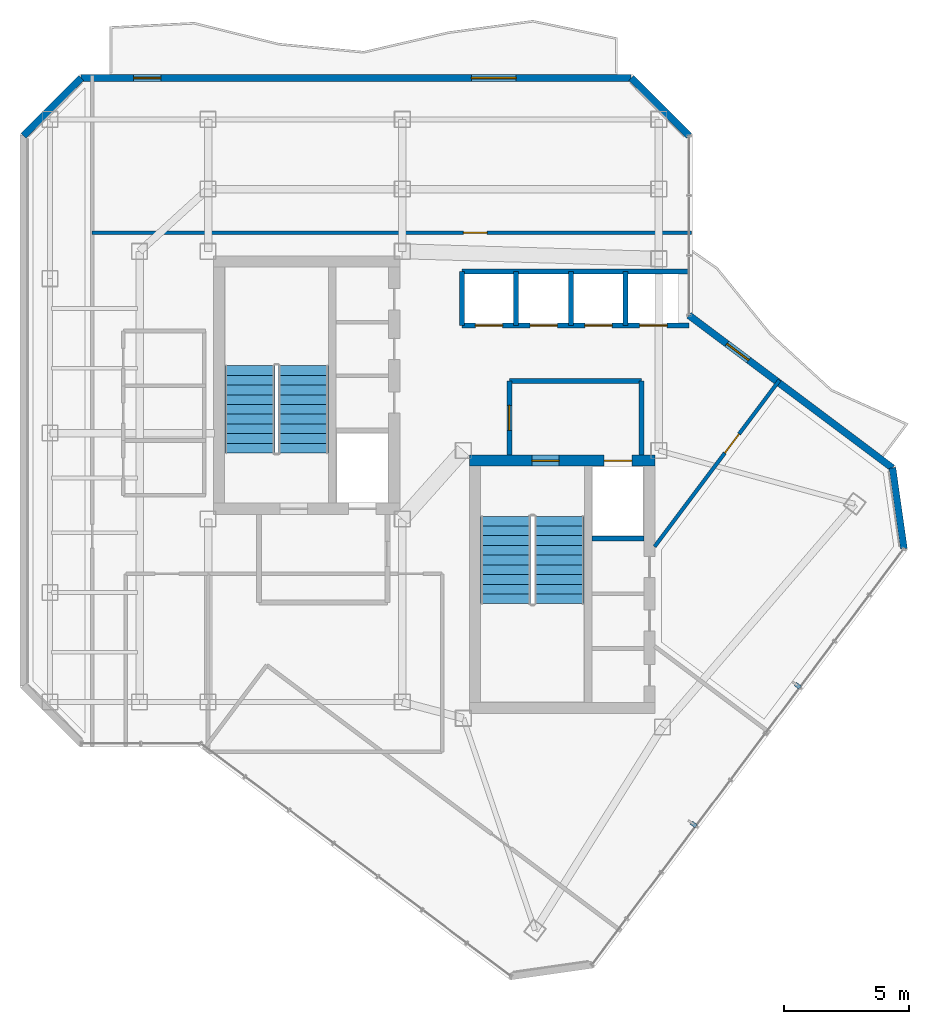
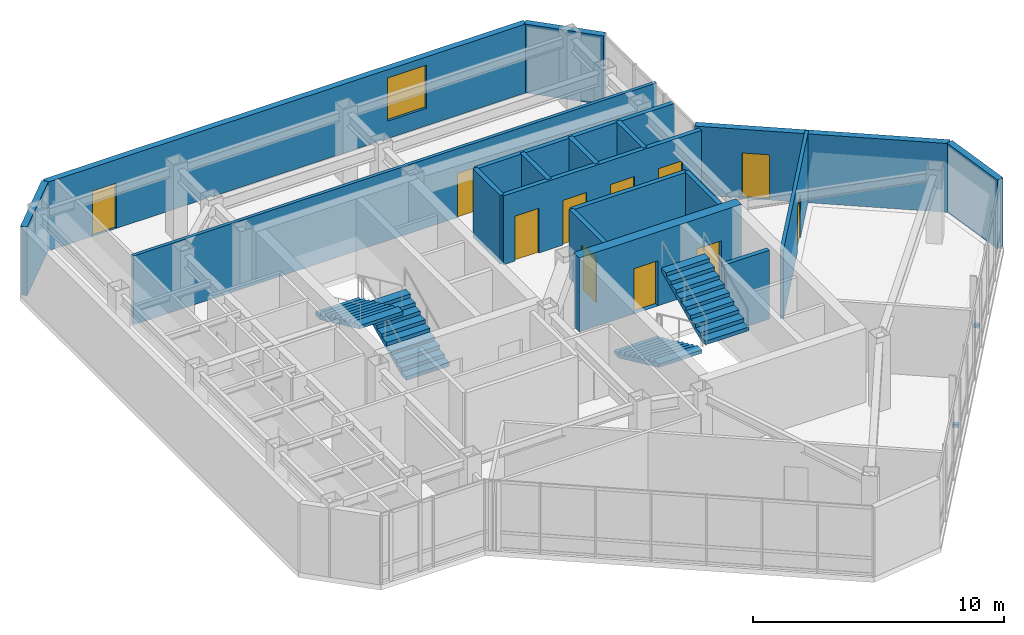
# One storey, part 15 of 18: 18 walls, 11 doors, 4 stair flights, 2 discrete accessories, 1 window, 12 openings, 2 elements without a shape of their own.
"""IFC4 building model written with IfcOpenShell, lengths in metres."""

from ifc_helpers import new_model, si_unit, direction, frame, frame_2d, origin, origin_2d, place, context, subcontext, project, spatial, polyline, rectangle, outline, extrude, material, layer, layer_set, type_object, element, fill, aggregate, save


model = new_model("IFC4")

# Units and contexts
model_context = context("Model", 3, precision=1e-05, world=origin(), true_north=direction((0.0, 1.0)))
body_context = subcontext(model_context, "Body", "Model", "MODEL_VIEW")
ifc_project = project(units=[si_unit("LENGTHUNIT", "METRE"), si_unit("AREAUNIT", "SQUARE_METRE"), si_unit("VOLUMEUNIT", "CUBIC_METRE"), si_unit("PLANEANGLEUNIT", "RADIAN"), si_unit("MASSUNIT", "GRAM", prefix="KILO")], contexts=[model_context])

# Site, building, storey
site_placement = place(None, origin())
site = spatial("IfcSite", under=ifc_project, at=site_placement, CompositionType="ELEMENT")
building_placement = place(site_placement, origin())
building = spatial("IfcBuilding", under=site, at=building_placement, Name="Hatsunagi Terrace Concourse", CompositionType="ELEMENT")
storey_placement = place(building_placement, frame((0.0, 0.0, 250.35009765625)))
storey = spatial("IfcBuildingStorey", under=building, at=storey_placement, Name="L66", CompositionType="ELEMENT", Elevation=250.35009765625)

# Wall, openings, doors
ifc_material_1 = material(Name="Concrete Fc42", Category="concrete")
ifc_layer_1 = layer(ifc_material_1, 0.449951171875)
ifc_layer_set_1 = layer_set([ifc_layer_1], Name="CoreShearWall_Fc42_450")
wall_type_1 = type_object("IfcWallType", Name="CoreShearWall_Fc42_450", PredefinedType="SHEAR", material=ifc_layer_set_1)
wall_1_placement = place(storey_placement, frame((36.0400390625, 34.89501953125, 0.0), z_axis=(0.0, 0.0, 1.0), x_axis=(1.0, 0.0, 0.0)))
wall_1 = element("IfcWall", 1, at=wall_1_placement, inside=storey, type_object=wall_type_1, Name="Core B Shear Wall N L66", PredefinedType="SHEAR", context=body_context, shape_type="SweptSolid", body=[
    extrude(rectangle(XDim=7.4599609375, YDim=0.449951171875, at=frame_2d((3.72998046875, 0.0))), origin(), (0.0, 0.0, 1.0), 3.599853515625),
])
opening_1_placement = place(wall_1_placement, frame((2.510009765625, 0.0, 0.0)))
opening_1 = element("IfcOpeningElement", 2, at=opening_1_placement, cuts=wall_1, Name="Opening DR-110S", PredefinedType="OPENING", context=body_context, shape_type="SweptSolid", body=[
    extrude(rectangle(XDim=1.10009765625, YDim=2.199951171875, at=frame_2d((0.550048828125, 1.10009765625))), frame((0.0, 0.23486328125, 0.0), z_axis=(0.0, -1.0, 0.0), x_axis=(1.0, 0.0, 0.0)), (0.0, 0.0, 1.0), 0.469970703125),
])
opening_2_placement = place(wall_1_placement, frame((5.409912109375, 0.0, 0.0)))
opening_2 = element("IfcOpeningElement", 3, at=opening_2_placement, cuts=wall_1, Name="Opening LD-02", PredefinedType="OPENING", context=body_context, shape_type="SweptSolid", body=[
    extrude(rectangle(XDim=1.1201171875, YDim=2.14990234375, at=frame_2d((0.56005859375, 1.074951171875))), frame((0.0, 0.23486328125, 0.0), z_axis=(0.0, -1.0, 0.0), x_axis=(1.0, 0.0, 0.0)), (0.0, 0.0, 1.0), 0.469970703125),
])
ifc_material_2 = material(Name="Stainless steel", Category="steel")
door_type_1 = type_object("IfcDoorType", Name="LiftLandingDoor_LD02", OperationType="SLIDING_TO_RIGHT", PredefinedType="USERDEFINED", material=ifc_material_2)
door_1_placement = place(opening_2_placement, origin())
door_1 = element("IfcDoor", 4, at=door_1_placement, inside=storey, type_object=door_type_1, Name="Lift landing door FF-02 L66", ObjectType="SLIDING_LANDING_DOOR", OperationType="SLIDING_TO_RIGHT", OverallHeight=2.14990234375, OverallWidth=1.1201171875, PredefinedType="USERDEFINED", context=body_context, shape_type="SweptSolid", body=[
    extrude(rectangle(XDim=1.1201171875, YDim=2.14990234375, at=frame_2d((0.56005859375, 1.074951171875))), frame((0.0, 0.02490234375, 0.0), z_axis=(0.0, -1.0, 0.0), x_axis=(1.0, 0.0, 0.0)), (0.0, 0.0, 1.0), 0.050048828125),
])
fill(opening_2, door_1)
ifc_material_3 = material(Name="Painted steel", Category="steel")
door_type_2 = type_object("IfcDoorType", Name="StairFireDoor_EI60_1100", OperationType="NOTDEFINED", PredefinedType="DOOR", material=ifc_material_3)
door_2_placement = place(opening_1_placement, origin())
door_2 = element("IfcDoor", 5, at=door_2_placement, inside=storey, type_object=door_type_2, Name="Stair ST-B Exit Door L66", OperationType="SINGLE_SWING_RIGHT", OverallHeight=2.199951171875, OverallWidth=1.10009765625, PredefinedType="DOOR", context=body_context, shape_type="SweptSolid", body=[
    extrude(rectangle(XDim=1.10009765625, YDim=2.199951171875, at=frame_2d((0.550048828125, 1.10009765625))), frame((0.0, 0.02490234375, 0.0), z_axis=(0.0, -1.0, 0.0), x_axis=(1.0, 0.0, 0.0)), (0.0, 0.0, 1.0), 0.050048828125),
])
fill(opening_1, door_2)

# Wall, opening, door
ifc_material_4 = material(Name="Acoustic mineral board", Category="gypsum")
ifc_layer_2 = layer(ifc_material_4, 0.14990234375)
ifc_layer_set_2 = layer_set([ifc_layer_2], Name="PartitionWall_EI60_150")
wall_type_2 = type_object("IfcWallType", Name="PartitionWall_EI60_150", PredefinedType="PARTITIONING", material=ifc_layer_set_2)
wall_2_placement = place(storey_placement, frame((20.89990234375, 44.050048828125, 0.0), z_axis=(0.0, 0.0, 1.0), x_axis=(1.0, 0.0, 0.0)))
wall_2 = element("IfcWall", 6, at=wall_2_placement, inside=storey, type_object=wall_type_2, Name="Interior Partition IW-L66-032", PredefinedType="PARTITIONING", context=body_context, shape_type="SweptSolid", body=[
    extrude(rectangle(XDim=24.06005859375, YDim=0.14990234375, at=frame_2d((12.030029296875, 0.0))), origin(), (0.0, 0.0, 1.0), 3.349853515625),
])
opening_3_placement = place(wall_2_placement, frame((14.907958984375, 0.0, 0.0)))
opening_3 = element("IfcOpeningElement", 7, at=opening_3_placement, cuts=wall_2, Name="Opening DR-095", PredefinedType="OPENING", context=body_context, shape_type="SweptSolid", body=[
    extrude(rectangle(XDim=0.949951171875, YDim=2.14990234375, at=frame_2d((0.47509765625, 1.074951171875))), frame((0.0, 0.0849609375, 0.0), z_axis=(0.0, -1.0, 0.0), x_axis=(1.0, 0.0, 0.0)), (0.0, 0.0, 1.0), 0.169921875),
])
ifc_material_5 = material(Name="Hardwood timber", Category="wood")
door_type_3 = type_object("IfcDoorType", Name="InteriorSuiteDoor_EI30_950", OperationType="NOTDEFINED", PredefinedType="DOOR", material=ifc_material_5)
door_3_placement = place(opening_3_placement, origin())
door_3 = element("IfcDoor", 8, at=door_3_placement, inside=storey, type_object=door_type_3, Name="Boardroom L66-ON1 Door", OperationType="SINGLE_SWING_LEFT", OverallHeight=2.14990234375, OverallWidth=0.949951171875, PredefinedType="DOOR", context=body_context, shape_type="SweptSolid", body=[
    extrude(rectangle(XDim=0.949951171875, YDim=2.14990234375, at=frame_2d((0.47509765625, 1.074951171875))), frame((0.0, 0.02490234375, 0.0), z_axis=(0.0, -1.0, 0.0), x_axis=(1.0, 0.0, 0.0)), (0.0, 0.0, 1.0), 0.050048828125),
])
fill(opening_3, door_3)

wall_3_placement = place(storey_placement, frame((43.47998046875, 31.43994140625, 0.0), z_axis=(0.0, 0.0, 1.0), x_axis=(0.600009344989, 0.799992991173, 0.0)))
wall_3 = element("IfcWall", 9, at=wall_3_placement, inside=storey, type_object=wall_type_2, Name="Interior Partition IW-L66-034", PredefinedType="PARTITIONING", context=body_context, shape_type="SweptSolid", body=[
    extrude(rectangle(XDim=8.360107421875, YDim=0.14990234375, at=frame_2d((4.18017578125, 0.0))), origin(), (0.0, 0.0, 1.0), 3.349853515625),
])
opening_4_placement = place(wall_3_placement, frame((4.702880859375, 0.0, 0.0)))
opening_4 = element("IfcOpeningElement", 10, at=opening_4_placement, cuts=wall_3, Name="Opening DR-095", PredefinedType="OPENING", context=body_context, shape_type="SweptSolid", body=[
    extrude(rectangle(XDim=0.949951171875, YDim=2.14990234375, at=frame_2d((0.47509765625, 1.074951171875))), frame((0.0, 0.0849609375, 0.0), z_axis=(0.0, -1.0, 0.0), x_axis=(1.0, 0.0, 0.0)), (0.0, 0.0, 1.0), 0.169921875),
])
door_4_placement = place(opening_4_placement, origin())
door_4 = element("IfcDoor", 11, at=door_4_placement, inside=storey, type_object=door_type_3, Name="Design Studio L66-OSE1 Door", OperationType="SINGLE_SWING_RIGHT", OverallHeight=2.14990234375, OverallWidth=0.949951171875, PredefinedType="DOOR", context=body_context, shape_type="SweptSolid", body=[
    extrude(rectangle(XDim=0.949951171875, YDim=2.14990234375, at=frame_2d((0.47509765625, 1.074951171875))), frame((0.0, 0.02490234375, 0.0), z_axis=(0.0, -1.0, 0.0), x_axis=(1.0, 0.0, 0.0)), (0.0, 0.0, 1.0), 0.050048828125),
])
fill(opening_4, door_4)

# Walls
ifc_material_6 = material(Name="Acoustic mineral board", Category="gypsum")
ifc_layer_3 = layer(ifc_material_6, 0.199951171875)
ifc_layer_set_3 = layer_set([ifc_layer_3], Name="ShaftWall_EI120_200")
wall_type_3 = type_object("IfcWallType", Name="ShaftWall_EI120_200", PredefinedType="STANDARD", material=ifc_layer_set_3)
wall_4_placement = place(storey_placement, frame((40.969970703125, 31.760009765625, 0.0), z_axis=(0.0, 0.0, 1.0), x_axis=(1.0, 0.0, 0.0)))
element("IfcWall", 12, at=wall_4_placement, inside=storey, type_object=wall_type_3, Name="Interior Partition IW-L66-004", PredefinedType="STANDARD", context=body_context, shape_type="SweptSolid", body=[
    extrude(rectangle(XDim=2.080078125, YDim=0.199951171875, at=frame_2d((1.0400390625, 0.0))), origin(), (0.0, 0.0, 1.0), 3.349853515625),
])
wall_5_placement = place(storey_placement, frame((37.64990234375, 38.10009765625, 0.0), z_axis=(0.0, 0.0, 1.0), x_axis=(1.0, 0.0, 0.0)))
element("IfcWall", 13, at=wall_5_placement, inside=storey, type_object=wall_type_3, Name="Interior Partition IW-L66-010", PredefinedType="STANDARD", context=body_context, shape_type="SweptSolid", body=[
    extrude(rectangle(XDim=5.300048828125, YDim=0.199951171875, at=frame_2d((2.64990234375, 0.0))), origin(), (0.0, 0.0, 1.0), 3.349853515625),
])
wall_6_placement = place(storey_placement, frame((42.949951171875, 35.1201171875, 0.0), z_axis=(0.0, 0.0, 1.0), x_axis=(0.0, 1.0, 0.0)))
element("IfcWall", 14, at=wall_6_placement, inside=storey, type_object=wall_type_3, Name="Interior Partition IW-L66-011", PredefinedType="STANDARD", context=body_context, shape_type="SweptSolid", body=[
    extrude(rectangle(XDim=2.97998046875, YDim=0.199951171875, at=frame_2d((1.489990234375, 0.0))), origin(), (0.0, 0.0, 1.0), 3.349853515625),
])

# Wall, opening, door
wall_7_placement = place(storey_placement, frame((37.64990234375, 35.1201171875, 0.0), z_axis=(0.0, 0.0, 1.0), x_axis=(0.0, 1.0, 0.0)))
wall_7 = element("IfcWall", 15, at=wall_7_placement, inside=storey, type_object=wall_type_3, Name="Interior Partition IW-L66-012", PredefinedType="STANDARD", context=body_context, shape_type="SweptSolid", body=[
    extrude(rectangle(XDim=2.97998046875, YDim=0.199951171875, at=frame_2d((1.489990234375, 0.0))), origin(), (0.0, 0.0, 1.0), 3.349853515625),
])
opening_5_placement = place(wall_7_placement, frame((0.989990234375, 0.0, 0.0)))
opening_5 = element("IfcOpeningElement", 16, at=opening_5_placement, cuts=wall_7, Name="Opening DR-100F", PredefinedType="OPENING", context=body_context, shape_type="SweptSolid", body=[
    extrude(rectangle(XDim=1.0, YDim=2.199951171875, at=frame_2d((0.5, 1.10009765625))), frame((0.0, 0.10986328125, 0.0), z_axis=(0.0, -1.0, 0.0), x_axis=(1.0, 0.0, 0.0)), (0.0, 0.0, 1.0), 0.219970703125),
])
ifc_material_7 = material(Name="Painted steel", Category="steel")
door_type_4 = type_object("IfcDoorType", Name="FireDoor_EI60_1000", OperationType="NOTDEFINED", PredefinedType="DOOR", material=ifc_material_7)
door_5_placement = place(opening_5_placement, origin())
door_5 = element("IfcDoor", 17, at=door_5_placement, inside=storey, type_object=door_type_4, Name="Firefighting Lobby B Door L66", OperationType="SINGLE_SWING_RIGHT", OverallHeight=2.199951171875, OverallWidth=1.0, PredefinedType="DOOR", context=body_context, shape_type="SweptSolid", body=[
    extrude(rectangle(XDim=1.0, YDim=2.199951171875, at=frame_2d((0.5, 1.10009765625))), frame((0.0, 0.02490234375, 0.0), z_axis=(0.0, -1.0, 0.0), x_axis=(1.0, 0.0, 0.0)), (0.0, 0.0, 1.0), 0.050048828125),
])
fill(opening_5, door_5)

# Walls
wall_8_placement = place(storey_placement, frame((35.75, 42.47998046875, 0.0), z_axis=(0.0, 0.0, 1.0), x_axis=(1.0, 0.0, 0.0)))
element("IfcWall", 18, at=wall_8_placement, inside=storey, type_object=wall_type_3, Name="Interior Partition IW-L66-013", PredefinedType="STANDARD", context=body_context, shape_type="SweptSolid", body=[
    extrude(rectangle(XDim=9.110107421875, YDim=0.199951171875, at=frame_2d((4.55517578125, 0.0))), origin(), (0.0, 0.0, 1.0), 3.349853515625),
])
for number, where, z_axis, x_axis, name in (
    (19, (35.75, 40.320068359375, 0.0), (0.0, 0.0, 1.0), (0.0, 1.0, 0.0), "Interior Partition IW-L66-014"),
    (20, (37.919921875, 40.320068359375, 0.0), (0.0, 0.0, 1.0), (0.0, 1.0, 0.0), "Interior Partition IW-L66-015"),
    (21, (40.1201171875, 40.320068359375, 0.0), (0.0, 0.0, 1.0), (0.0, 1.0, 0.0), "Interior Partition IW-L66-016"),
    (22, (42.320068359375, 40.320068359375, 0.0), (0.0, 0.0, 1.0), (0.0, 1.0, 0.0), "Interior Partition IW-L66-017"),
):
    element("IfcWall", number, at=place(storey_placement, frame(where, z_axis=z_axis, x_axis=x_axis)), inside=storey, type_object=wall_type_3, Name=name, PredefinedType="STANDARD", context=body_context, shape_type="SweptSolid", body=[
        extrude(rectangle(XDim=2.159912109375, YDim=0.199951171875, at=frame_2d((1.080078125, 0.0))), origin(), (0.0, 0.0, 1.0), 3.349853515625),
    ])

# Wall, openings, doors
wall_9_placement = place(storey_placement, frame((35.75, 40.320068359375, 0.0), z_axis=(0.0, 0.0, 1.0), x_axis=(1.0, 0.0, 0.0)))
wall_9 = element("IfcWall", 23, at=wall_9_placement, inside=storey, type_object=wall_type_3, Name="Interior Partition IW-L66-018", PredefinedType="STANDARD", context=body_context, shape_type="SweptSolid", body=[
    extrude(rectangle(XDim=9.110107421875, YDim=0.199951171875, at=frame_2d((4.55517578125, 0.0))), origin(), (0.0, 0.0, 1.0), 3.349853515625),
])
opening_6_placement = place(wall_9_placement, frame((0.530029296875, 0.0, 0.0)))
opening_6 = element("IfcOpeningElement", 24, at=opening_6_placement, cuts=wall_9, Name="Opening LD-04", PredefinedType="OPENING", context=body_context, shape_type="SweptSolid", body=[
    extrude(rectangle(XDim=1.10009765625, YDim=2.179931640625, at=frame_2d((0.550048828125, 1.08984375))), frame((0.0, 0.10986328125, 0.0), z_axis=(0.0, -1.0, 0.0), x_axis=(1.0, 0.0, 0.0)), (0.0, 0.0, 1.0), 0.219970703125),
])
opening_7_placement = place(wall_9_placement, frame((2.72998046875, 0.0, 0.0)))
opening_7 = element("IfcOpeningElement", 25, at=opening_7_placement, cuts=wall_9, Name="Opening LD-04", PredefinedType="OPENING", context=body_context, shape_type="SweptSolid", body=[
    extrude(rectangle(XDim=1.10009765625, YDim=2.179931640625, at=frame_2d((0.550048828125, 1.08984375))), frame((0.0, 0.10986328125, 0.0), z_axis=(0.0, -1.0, 0.0), x_axis=(1.0, 0.0, 0.0)), (0.0, 0.0, 1.0), 0.219970703125),
])
opening_8_placement = place(wall_9_placement, frame((4.929931640625, 0.0, 0.0)))
opening_8 = element("IfcOpeningElement", 26, at=opening_8_placement, cuts=wall_9, Name="Opening LD-04", PredefinedType="OPENING", context=body_context, shape_type="SweptSolid", body=[
    extrude(rectangle(XDim=1.10009765625, YDim=2.179931640625, at=frame_2d((0.550048828125, 1.08984375))), frame((0.0, 0.10986328125, 0.0), z_axis=(0.0, -1.0, 0.0), x_axis=(1.0, 0.0, 0.0)), (0.0, 0.0, 1.0), 0.219970703125),
])
opening_9_placement = place(wall_9_placement, frame((7.1298828125, 0.0, 0.0)))
opening_9 = element("IfcOpeningElement", 27, at=opening_9_placement, cuts=wall_9, Name="Opening LD-04", PredefinedType="OPENING", context=body_context, shape_type="SweptSolid", body=[
    extrude(rectangle(XDim=1.10009765625, YDim=2.179931640625, at=frame_2d((0.550048828125, 1.08984375))), frame((0.0, 0.10986328125, 0.0), z_axis=(0.0, -1.0, 0.0), x_axis=(1.0, 0.0, 0.0)), (0.0, 0.0, 1.0), 0.219970703125),
])
ifc_material_8 = material(Name="Stainless steel", Category="steel")
door_type_5 = type_object("IfcDoorType", Name="LiftLandingDoor_LD04", OperationType="SLIDING_TO_RIGHT", PredefinedType="USERDEFINED", material=ifc_material_8)
door_6_placement = place(opening_6_placement, origin())
door_6 = element("IfcDoor", 28, at=door_6_placement, inside=storey, type_object=door_type_5, Name="Lift landing door PL-05 L66", ObjectType="SLIDING_LANDING_DOOR", OperationType="SLIDING_TO_RIGHT", OverallHeight=2.179931640625, OverallWidth=1.10009765625, PredefinedType="USERDEFINED", context=body_context, shape_type="SweptSolid", body=[
    extrude(rectangle(XDim=1.10009765625, YDim=2.179931640625, at=frame_2d((0.550048828125, 1.08984375))), frame((0.0, 0.02490234375, 0.0), z_axis=(0.0, -1.0, 0.0), x_axis=(1.0, 0.0, 0.0)), (0.0, 0.0, 1.0), 0.050048828125),
])
fill(opening_6, door_6)
door_7_placement = place(opening_7_placement, origin())
door_7 = element("IfcDoor", 29, at=door_7_placement, inside=storey, type_object=door_type_5, Name="Lift landing door PL-06 L66", ObjectType="SLIDING_LANDING_DOOR", OperationType="SLIDING_TO_RIGHT", OverallHeight=2.179931640625, OverallWidth=1.10009765625, PredefinedType="USERDEFINED", context=body_context, shape_type="SweptSolid", body=[
    extrude(rectangle(XDim=1.10009765625, YDim=2.179931640625, at=frame_2d((0.550048828125, 1.08984375))), frame((0.0, 0.02490234375, 0.0), z_axis=(0.0, -1.0, 0.0), x_axis=(1.0, 0.0, 0.0)), (0.0, 0.0, 1.0), 0.050048828125),
])
fill(opening_7, door_7)
door_8_placement = place(opening_8_placement, origin())
door_8 = element("IfcDoor", 30, at=door_8_placement, inside=storey, type_object=door_type_5, Name="Lift landing door PL-07 L66", ObjectType="SLIDING_LANDING_DOOR", OperationType="SLIDING_TO_RIGHT", OverallHeight=2.179931640625, OverallWidth=1.10009765625, PredefinedType="USERDEFINED", context=body_context, shape_type="SweptSolid", body=[
    extrude(rectangle(XDim=1.10009765625, YDim=2.179931640625, at=frame_2d((0.550048828125, 1.08984375))), frame((0.0, 0.02490234375, 0.0), z_axis=(0.0, -1.0, 0.0), x_axis=(1.0, 0.0, 0.0)), (0.0, 0.0, 1.0), 0.050048828125),
])
fill(opening_8, door_8)
door_9_placement = place(opening_9_placement, origin())
door_9 = element("IfcDoor", 31, at=door_9_placement, inside=storey, type_object=door_type_5, Name="Lift landing door PL-08 L66", ObjectType="SLIDING_LANDING_DOOR", OperationType="SLIDING_TO_RIGHT", OverallHeight=2.179931640625, OverallWidth=1.10009765625, PredefinedType="USERDEFINED", context=body_context, shape_type="SweptSolid", body=[
    extrude(rectangle(XDim=1.10009765625, YDim=2.179931640625, at=frame_2d((0.550048828125, 1.08984375))), frame((0.0, 0.02490234375, 0.0), z_axis=(0.0, -1.0, 0.0), x_axis=(1.0, 0.0, 0.0)), (0.0, 0.0, 1.0), 0.050048828125),
])
fill(opening_9, door_9)

# Wall, opening, door
ifc_material_9 = material(Name="Autoclaved Lightweight Concrete and Terracotta Cladding", Category="masonry")
ifc_layer_4 = layer(ifc_material_9, 0.280029296875)
ifc_layer_set_4 = layer_set([ifc_layer_4], Name="TerracottaSpandrelWall_280")
wall_type_4 = type_object("IfcWallType", Name="TerracottaSpandrelWall_280", PredefinedType="STANDARD", material=ifc_layer_set_4)
wall_10_placement = place(storey_placement, frame((44.860107421875, 40.72998046875, 0.0), z_axis=(0.0, 0.0, 1.0), x_axis=(0.800022950109, -0.599969398635, 0.0)))
wall_10 = element("IfcWall", 32, at=wall_10_placement, inside=storey, type_object=wall_type_4, Name="Exterior Spandrel Wall EW-L66-01", PredefinedType="STANDARD", context=body_context, shape_type="SweptSolid", body=[
    extrude(rectangle(XDim=10.212158203125, YDim=0.280029296875, at=frame_2d((5.10595703125, 0.0))), origin(), (0.0, 0.0, 1.0), 3.349853515625),
])
opening_10_placement = place(wall_10_placement, frame((1.90087890625, 0.0, 0.0)))
opening_10 = element("IfcOpeningElement", 33, at=opening_10_placement, cuts=wall_10, Name="Opening BD-01", PredefinedType="OPENING", context=body_context, shape_type="SweptSolid", body=[
    extrude(rectangle(XDim=1.10009765625, YDim=2.199951171875, at=frame_2d((0.550048828125, 1.10009765625))), frame((0.0, 0.14990234375, 0.0), z_axis=(0.0, -1.0, 0.0), x_axis=(1.0, 0.0, 0.0)), (0.0, 0.0, 1.0), 0.300048828125),
])
ifc_material_10 = material(Name="Galvanised Steel and Laminated Safety Glass", Category="steel")
door_type_6 = type_object("IfcDoorType", Name="BalconyTerraceAccessDoor_1100x2200", OperationType="SINGLE_SWING_LEFT", PredefinedType="DOOR", material=ifc_material_10)
door_10_placement = place(opening_10_placement, origin())
door_10 = element("IfcDoor", 34, at=door_10_placement, inside=storey, type_object=door_type_6, Name="Engawa Balcony Door L66-BSE", OperationType="SINGLE_SWING_LEFT", OverallHeight=2.199951171875, OverallWidth=1.10009765625, PredefinedType="DOOR", context=body_context, shape_type="SweptSolid", body=[
    extrude(rectangle(XDim=1.10009765625, YDim=2.199951171875, at=frame_2d((0.550048828125, 1.10009765625))), frame((0.0, 0.02490234375, 0.0), z_axis=(0.0, -1.0, 0.0), x_axis=(1.0, 0.0, 0.0)), (0.0, 0.0, 1.0), 0.050048828125),
])
fill(opening_10, door_10)

# Walls
wall_11_placement = place(storey_placement, frame((53.030029296875, 34.60302734375, 0.0), z_axis=(0.0, 0.0, 1.0), x_axis=(0.141212810973, -0.989979263428, 0.0)))
element("IfcWall", 35, at=wall_11_placement, inside=storey, type_object=wall_type_4, Name="Exterior Spandrel Wall EW-L66-02", PredefinedType="STANDARD", context=body_context, shape_type="SweptSolid", body=[
    extrude(rectangle(XDim=3.278076171875, YDim=0.280029296875, at=frame_2d((1.63916015625, 0.0))), origin(), (0.0, 0.0, 1.0), 3.349853515625),
])
wall_12_placement = place(storey_placement, frame((18.139892578125, 47.94189453125, 0.0), z_axis=(0.0, 0.0, 1.0), x_axis=(0.707106781187, 0.707106781187, 0.0)))
element("IfcWall", 36, at=wall_12_placement, inside=storey, type_object=wall_type_4, Name="Exterior Spandrel Wall EW-L66-09", PredefinedType="STANDARD", context=body_context, shape_type="SweptSolid", body=[
    extrude(rectangle(XDim=3.2783203125, YDim=0.280029296875, at=frame_2d((1.63916015625, 0.0))), origin(), (0.0, 0.0, 1.0), 3.349853515625),
])

# Wall, openings, door, window
wall_13_placement = place(storey_placement, frame((20.4580078125, 50.260009765625, 0.0), z_axis=(0.0, 0.0, 1.0), x_axis=(1.0, 0.0, 0.0)))
wall_13 = element("IfcWall", 37, at=wall_13_placement, inside=storey, type_object=wall_type_4, Name="Exterior Spandrel Wall EW-L66-10", PredefinedType="STANDARD", context=body_context, shape_type="SweptSolid", body=[
    extrude(rectangle(XDim=22.083984375, YDim=0.280029296875, at=frame_2d((11.0419921875, 0.0))), origin(), (0.0, 0.0, 1.0), 3.349853515625),
])
opening_11_placement = place(wall_13_placement, frame((2.10009765625, 0.0, 0.0)))
opening_11 = element("IfcOpeningElement", 38, at=opening_11_placement, cuts=wall_13, Name="Opening BD-01", PredefinedType="OPENING", context=body_context, shape_type="SweptSolid", body=[
    extrude(rectangle(XDim=1.10009765625, YDim=2.199951171875, at=frame_2d((0.550048828125, 1.10009765625))), frame((0.0, 0.14990234375, 0.0), z_axis=(0.0, -1.0, 0.0), x_axis=(1.0, 0.0, 0.0)), (0.0, 0.0, 1.0), 0.300048828125),
])
opening_12_placement = place(wall_13_placement, frame((15.6630859375, 0.0, 0.85009765625)))
opening_12 = element("IfcOpeningElement", 39, at=opening_12_placement, cuts=wall_13, Name="Opening WIN-03", PredefinedType="OPENING", context=body_context, shape_type="SweptSolid", body=[
    extrude(rectangle(XDim=1.800048828125, YDim=2.10009765625, at=frame_2d((0.89990234375, 1.050048828125))), frame((0.0, 0.14990234375, 0.0), z_axis=(0.0, -1.0, 0.0), x_axis=(1.0, 0.0, 0.0)), (0.0, 0.0, 1.0), 0.300048828125),
])
door_11_placement = place(opening_11_placement, origin())
door_11 = element("IfcDoor", 40, at=door_11_placement, inside=storey, type_object=door_type_6, Name="Engawa Balcony Door L66-BN", OperationType="SINGLE_SWING_RIGHT", OverallHeight=2.199951171875, OverallWidth=1.10009765625, PredefinedType="DOOR", context=body_context, shape_type="SweptSolid", body=[
    extrude(rectangle(XDim=1.10009765625, YDim=2.199951171875, at=frame_2d((0.550048828125, 1.10009765625))), frame((0.0, 0.02490234375, 0.0), z_axis=(0.0, -1.0, 0.0), x_axis=(1.0, 0.0, 0.0)), (0.0, 0.0, 1.0), 0.050048828125),
])
fill(opening_11, door_11)
ifc_material_11 = material(Name="Thermally Broken Aluminium and Low-E Triple Glazing", Category="aluminium")
window_type = type_object("IfcWindowType", Name="OfficeCornerFeatureWindow_1800x2100", PartitioningType="SINGLE_PANEL", PredefinedType="WINDOW", material=ifc_material_11)
window_placement = place(opening_12_placement, origin())
window = element("IfcWindow", 41, at=window_placement, inside=storey, type_object=window_type, Name="Balcony Daylighting Window L66-10-2", OverallHeight=2.10009765625, OverallWidth=1.800048828125, PartitioningType="SINGLE_PANEL", PredefinedType="WINDOW", context=body_context, shape_type="SweptSolid", body=[
    extrude(rectangle(XDim=1.800048828125, YDim=2.10009765625, at=frame_2d((0.89990234375, 1.050048828125))), frame((0.0, 0.030029296875, 0.0), z_axis=(0.0, -1.0, 0.0), x_axis=(1.0, 0.0, 0.0)), (0.0, 0.0, 1.0), 0.06005859375),
])
fill(opening_12, window)

# Wall
wall_14_placement = place(storey_placement, frame((42.5419921875, 50.260009765625, 0.0), z_axis=(0.0, 0.0, 1.0), x_axis=(0.707106781187, -0.707106781187, 0.0)))
element("IfcWall", 42, at=wall_14_placement, inside=storey, type_object=wall_type_4, Name="Exterior Spandrel Wall EW-L66-11", PredefinedType="STANDARD", context=body_context, shape_type="SweptSolid", body=[
    extrude(rectangle(XDim=3.2783203125, YDim=0.280029296875, at=frame_2d((1.63916015625, 0.0))), origin(), (0.0, 0.0, 1.0), 3.349853515625),
])

# Stair, stair flights
ifc_material_12 = material(Name="Concrete Fc42", Category="concrete")
stair_type = type_object("IfcStairType", Name="DoglegExitStair_Tower2000_20R_180", PredefinedType="HALF_TURN_STAIR", material=ifc_material_12)
stair_1_placement = place(storey_placement, origin())
stair_1 = element("IfcStair", 43, at=stair_1_placement, inside=storey, type_object=stair_type, Name="L66 Core A Protected Exit Stair ST-A", PredefinedType="HALF_TURN_STAIR")
ifc_material_13 = material(Name="Concrete Fc42", Category="concrete")
stair_flight_type = type_object("IfcStairFlightType", Name="DoglegStairFlight_Tower2000_20R_180", PredefinedType="STRAIGHT", material=ifc_material_13)
stair_flight_1_placement = place(storey_placement, frame((29.3798828125, 35.199951171875, 0.0), z_axis=(0.0, 0.0, 1.0), x_axis=(0.0, 1.0, 0.0)))
stair_flight_1 = element("IfcStairFlight", 44, at=stair_flight_1_placement, type_object=stair_flight_type, Name="ST-A flight 1", NumberOfRisers=10, NumberOfTreads=9, PredefinedType="STRAIGHT", RiserHeight=0.18, TreadLength=0.39, context=body_context, shape_type="SweptSolid", body=[
    extrude(outline(polyline([(0.0, 0.0), (0.0, 0.179931640625), (0.389892578125, 0.179931640625), (0.389892578125, 0.360107421875), (0.780029296875, 0.360107421875), (0.780029296875, 0.5400390625), (1.169921875, 0.5400390625), (1.169921875, 0.719970703125), (1.56005859375, 0.719970703125), (1.56005859375, 0.89990234375), (1.949951171875, 0.89990234375), (1.949951171875, 1.080078125), (2.340087890625, 1.080078125), (2.340087890625, 1.260009765625), (2.72998046875, 1.260009765625), (2.72998046875, 1.43994140625), (3.1201171875, 1.43994140625), (3.1201171875, 1.6201171875), (3.510009765625, 1.6201171875), (3.510009765625, 1.800048828125), (3.510009765625, 1.454833984375), (0.357666015625, 0.0), (0.0, 0.0)])), frame((0.0, 1.0, 0.0), z_axis=(0.0, -1.0, 0.0), x_axis=(1.0, 0.0, 0.0)), (0.0, 0.0, 1.0), 2.0),
])
stair_flight_2_placement = place(storey_placement, frame((27.22998046875, 38.7099609375, 1.7998046875), z_axis=(0.0, 0.0, 1.0), x_axis=(0.0, -1.0, 0.0)))
stair_flight_2 = element("IfcStairFlight", 45, at=stair_flight_2_placement, type_object=stair_flight_type, Name="ST-A flight 2", NumberOfRisers=10, NumberOfTreads=9, PredefinedType="STRAIGHT", RiserHeight=0.18, TreadLength=0.39, context=body_context, shape_type="SweptSolid", body=[
    extrude(outline(polyline([(0.0, 0.0), (0.0, 0.179931640625), (0.389892578125, 0.179931640625), (0.389892578125, 0.360107421875), (0.780029296875, 0.360107421875), (0.780029296875, 0.5400390625), (1.169921875, 0.5400390625), (1.169921875, 0.719970703125), (1.56005859375, 0.719970703125), (1.56005859375, 0.89990234375), (1.949951171875, 0.89990234375), (1.949951171875, 1.080078125), (2.340087890625, 1.080078125), (2.340087890625, 1.260009765625), (2.72998046875, 1.260009765625), (2.72998046875, 1.43994140625), (3.1201171875, 1.43994140625), (3.1201171875, 1.6201171875), (3.510009765625, 1.6201171875), (3.510009765625, 1.800048828125), (3.510009765625, 1.454833984375), (0.357666015625, 0.0), (0.0, 0.0)])), frame((0.0, 1.0, 0.0), z_axis=(0.0, -1.0, 0.0), x_axis=(1.0, 0.0, 0.0)), (0.0, 0.0, 1.0), 2.0),
])
aggregate(stair_1, [stair_flight_1, stair_flight_2])

stair_2_placement = place(storey_placement, origin())
stair_2 = element("IfcStair", 46, at=stair_2_placement, inside=storey, type_object=stair_type, Name="L66 Core B Protected Exit Stair ST-B", PredefinedType="HALF_TURN_STAIR")
stair_flight_3_placement = place(storey_placement, frame((37.5, 32.659912109375, 0.0), z_axis=(0.0, 0.0, 1.0), x_axis=(0.0, -1.0, 0.0)))
stair_flight_3 = element("IfcStairFlight", 47, at=stair_flight_3_placement, type_object=stair_flight_type, Name="ST-B flight 1", NumberOfRisers=10, NumberOfTreads=9, PredefinedType="STRAIGHT", RiserHeight=0.18, TreadLength=0.39, context=body_context, shape_type="SweptSolid", body=[
    extrude(outline(polyline([(0.0, 0.0), (0.0, 0.179931640625), (0.389892578125, 0.179931640625), (0.389892578125, 0.360107421875), (0.780029296875, 0.360107421875), (0.780029296875, 0.5400390625), (1.169921875, 0.5400390625), (1.169921875, 0.719970703125), (1.56005859375, 0.719970703125), (1.56005859375, 0.89990234375), (1.949951171875, 0.89990234375), (1.949951171875, 1.080078125), (2.340087890625, 1.080078125), (2.340087890625, 1.260009765625), (2.72998046875, 1.260009765625), (2.72998046875, 1.43994140625), (3.1201171875, 1.43994140625), (3.1201171875, 1.6201171875), (3.510009765625, 1.6201171875), (3.510009765625, 1.800048828125), (3.510009765625, 1.454833984375), (0.357666015625, 0.0), (0.0, 0.0)])), frame((0.0, 1.0, 0.0), z_axis=(0.0, -1.0, 0.0), x_axis=(1.0, 0.0, 0.0)), (0.0, 0.0, 1.0), 2.0),
])
stair_flight_4_placement = place(storey_placement, frame((39.64990234375, 29.14990234375, 1.7998046875), z_axis=(0.0, 0.0, 1.0), x_axis=(0.0, 1.0, 0.0)))
stair_flight_4 = element("IfcStairFlight", 48, at=stair_flight_4_placement, type_object=stair_flight_type, Name="ST-B flight 2", NumberOfRisers=10, NumberOfTreads=9, PredefinedType="STRAIGHT", RiserHeight=0.18, TreadLength=0.39, context=body_context, shape_type="SweptSolid", body=[
    extrude(outline(polyline([(0.0, 0.0), (0.0, 0.179931640625), (0.389892578125, 0.179931640625), (0.389892578125, 0.360107421875), (0.780029296875, 0.360107421875), (0.780029296875, 0.5400390625), (1.169921875, 0.5400390625), (1.169921875, 0.719970703125), (1.56005859375, 0.719970703125), (1.56005859375, 0.89990234375), (1.949951171875, 0.89990234375), (1.949951171875, 1.080078125), (2.340087890625, 1.080078125), (2.340087890625, 1.260009765625), (2.72998046875, 1.260009765625), (2.72998046875, 1.43994140625), (3.1201171875, 1.43994140625), (3.1201171875, 1.6201171875), (3.510009765625, 1.6201171875), (3.510009765625, 1.800048828125), (3.510009765625, 1.454833984375), (0.357666015625, 0.0), (0.0, 0.0)])), frame((0.0, 1.0, 0.0), z_axis=(0.0, -1.0, 0.0), x_axis=(1.0, 0.0, 0.0)), (0.0, 0.0, 1.0), 2.0),
])
aggregate(stair_2, [stair_flight_3, stair_flight_4])

# Discrete accessories
ifc_material_14 = material(Name="Stainless Steel SUS316 Bracket", Category="steel")
discrete_accessory_type = type_object("IfcDiscreteAccessoryType", Name="FacadeScreenSupportBracket_SS", PredefinedType="BRACKET", material=ifc_material_14)
for number, where, z_axis, x_axis, name in (
    (49, (49.22802734375, 25.85498046875, 0.9697265625), (0.0, 0.0, 1.0), (-0.599969314634, -0.800023013105, 0.0), "Terracotta Screen Bracket BRK-01"),
    (50, (45.052001953125, 20.284912109375, 0.9697265625), (0.0, 0.0, 1.0), (-0.599969314634, -0.800023013105, 0.0), "Terracotta Screen Bracket BRK-01"),
):
    element("IfcDiscreteAccessory", number, at=place(storey_placement, frame(where, z_axis=z_axis, x_axis=x_axis)), inside=storey, type_object=discrete_accessory_type, Name=name, PredefinedType="BRACKET", context=body_context, shape_type="SweptSolid", body=[
        extrude(rectangle(XDim=0.159912109375, YDim=0.239990234375, at=origin_2d()), origin(), (0.0, 0.0, 1.0), 0.159912109375),
    ])

save(model, "model.ifc")
